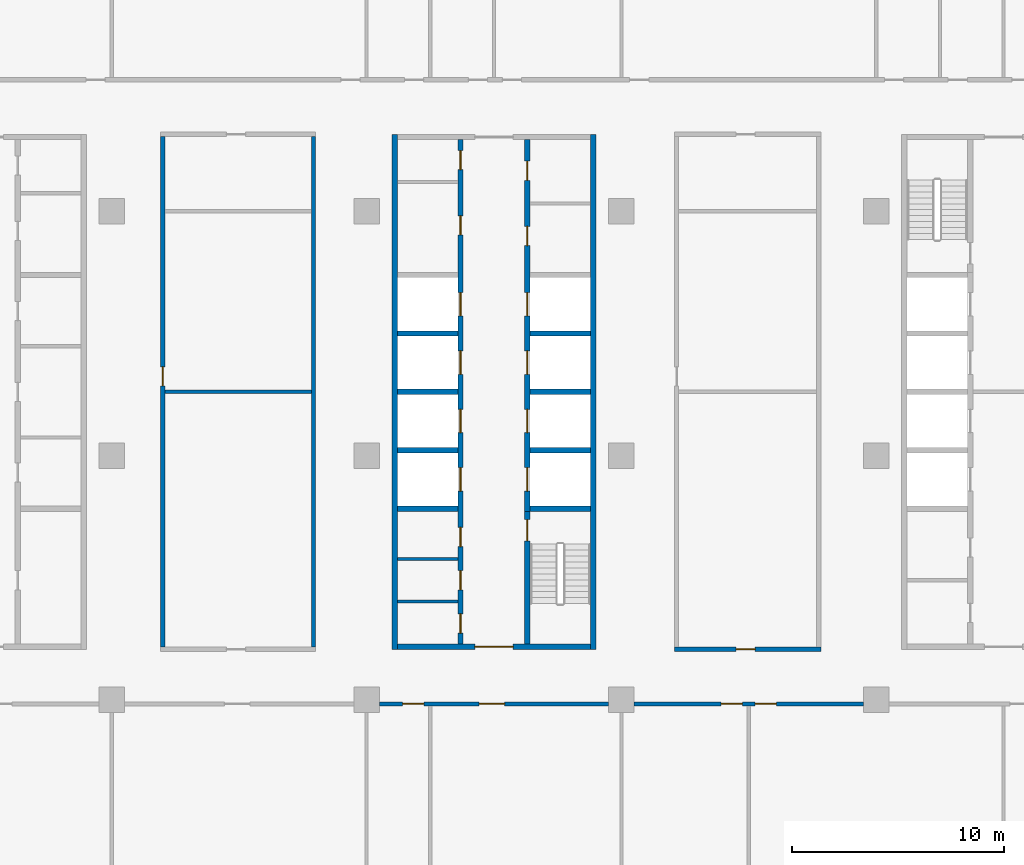
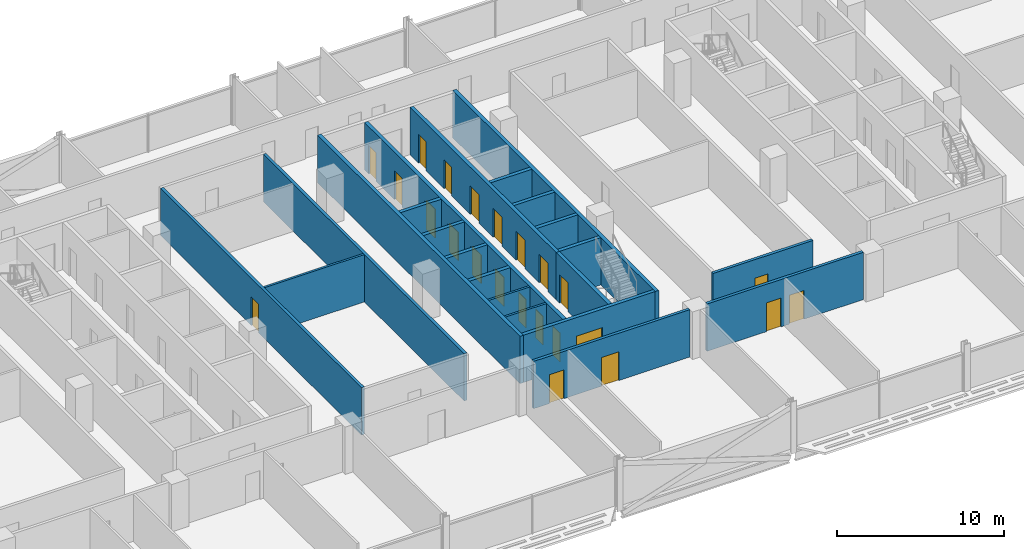
# One storey, part 12 of 27: 23 doors, 22 walls, 23 openings.
"""IFC4 building model written with IfcOpenShell, lengths in metres."""

from ifc_helpers import new_model, si_unit, direction, frame, frame_2d, origin, place, context, subcontext, project, spatial, rectangle, extrude, material, layer, layer_set, type_object, element, fill, save


model = new_model("IFC4")

# Units and contexts
model_context = context("Model", 3, precision=1e-05, world=origin(), true_north=direction((0.0, 1.0)))
body_context = subcontext(model_context, "Body", "Model", "MODEL_VIEW")
ifc_project = project(units=[si_unit("LENGTHUNIT", "METRE"), si_unit("AREAUNIT", "SQUARE_METRE"), si_unit("VOLUMEUNIT", "CUBIC_METRE"), si_unit("PLANEANGLEUNIT", "RADIAN"), si_unit("MASSUNIT", "GRAM", prefix="KILO")], contexts=[model_context])

# Site, building, storey
site_placement = place(None, origin())
site = spatial("IfcSite", under=ifc_project, at=site_placement, CompositionType="ELEMENT")
building_placement = place(site_placement, origin())
building = spatial("IfcBuilding", under=site, at=building_placement, Name="Mahtab Terrace Research Tower", CompositionType="ELEMENT")
storey_placement = place(building_placement, frame((0.0, 0.0, 166.800048828125)))
storey = spatial("IfcBuildingStorey", under=building, at=storey_placement, Name="L39", CompositionType="ELEMENT", Elevation=166.800048828125)

# Walls
ifc_material_1 = material(Name="Gypsum board partition")
ifc_layer_1 = layer(ifc_material_1, 0.14990234375)
ifc_layer_set_1 = layer_set([ifc_layer_1], Name="Core partition 150")
wall_type_1 = type_object("IfcWallType", Name="Core partition 150", PredefinedType="PARTITIONING", material=ifc_layer_set_1)
for number, where, z_axis, x_axis, name in (
    (1, (-4.550048828125, -6.875, 0.0), (0.0, 0.0, 1.0), (1.0, 0.0, 0.0), "Core wall B pWS-988"),
    (2, (-4.550048828125, -4.875, 0.0), (0.0, 0.0, 1.0), (1.0, 0.0, 0.0), "Core wall B pWS-788"),
):
    element("IfcWall", number, at=place(storey_placement, frame(where, z_axis=z_axis, x_axis=x_axis)), inside=storey, type_object=wall_type_1, Name=name, PredefinedType="PARTITIONING", context=body_context, shape_type="SweptSolid", body=[
        extrude(rectangle(XDim=2.85009765625, YDim=0.14990234375, at=frame_2d((1.425048828125, 0.0))), origin(), (0.0, 0.0, 1.0), 3.4599609375),
    ])
ifc_material_2 = material(Name="Concrete C70/85", Category="concrete")
ifc_layer_2 = layer(ifc_material_2, 0.25)
ifc_layer_set_2 = layer_set([ifc_layer_2], Name="Core wall 250")
wall_type_2 = type_object("IfcWallType", Name="Core wall 250", PredefinedType="SOLIDWALL", material=ifc_layer_set_2)
for number, where, z_axis, x_axis, name in (
    (3, (-4.675048828125, 15.125, 0.0), (0.0, 0.0, 1.0), (0.0, -1.0, 0.0), "Core wall B outerW"),
    (4, (4.675048828125, -9.125, 0.0), (0.0, 0.0, 1.0), (0.0, 1.0, 0.0), "Core wall B outerE"),
):
    element("IfcWall", number, at=place(storey_placement, frame(where, z_axis=z_axis, x_axis=x_axis)), inside=storey, type_object=wall_type_2, Name=name, PredefinedType="SOLIDWALL", context=body_context, shape_type="SweptSolid", body=[
        extrude(rectangle(XDim=24.25, YDim=0.25, at=frame_2d((12.125, 0.0))), origin(), (0.0, 0.0, 1.0), 3.4599609375),
    ])

# Wall, opening, door
wall_1_placement = place(storey_placement, frame((4.550048828125, -9.0, 0.0), z_axis=(0.0, 0.0, 1.0), x_axis=(-1.0, 0.0, 0.0)))
wall_1 = element("IfcWall", 5, at=wall_1_placement, inside=storey, type_object=wall_type_2, Name="Core wall B endS", PredefinedType="SOLIDWALL", context=body_context, shape_type="SweptSolid", body=[
    extrude(rectangle(XDim=9.10009765625, YDim=0.25, at=frame_2d((4.550048828125, 0.0))), origin(), (0.0, 0.0, 1.0), 3.4599609375),
])
opening_1_placement = place(wall_1_placement, frame((3.64990234375, 0.0, 0.0)))
opening_1 = element("IfcOpeningElement", 6, at=opening_1_placement, cuts=wall_1, Name="Opening B-S1", PredefinedType="OPENING", context=body_context, shape_type="SweptSolid", body=[
    extrude(rectangle(XDim=1.800048828125, YDim=2.10009765625, at=frame_2d((0.89990234375, 1.050048828125))), frame((0.0, 0.135009765625, 0.0), z_axis=(0.0, -1.0, 0.0), x_axis=(1.0, 0.0, 0.0)), (0.0, 0.0, 1.0), 0.27001953125),
])
ifc_material_3 = material(Name="Steel fire door", Category="steel")
door_type_1 = type_object("IfcDoorType", Name="Lobby double door 1800x2100 1 HR", OperationType="DOUBLE_DOOR_SINGLE_SWING", PredefinedType="DOOR", material=ifc_material_3)
door_1_placement = place(opening_1_placement, origin())
door_1 = element("IfcDoor", 7, at=door_1_placement, inside=storey, type_object=door_type_1, Name="Core entrance door B S", OperationType="DOUBLE_DOOR_SINGLE_SWING", OverallHeight=2.10009765625, OverallWidth=1.800048828125, PredefinedType="DOOR", context=body_context, shape_type="SweptSolid", body=[
    extrude(rectangle(XDim=1.800048828125, YDim=2.10009765625, at=frame_2d((0.89990234375, 1.050048828125))), frame((0.0, 0.02490234375, 0.0), z_axis=(0.0, -1.0, 0.0), x_axis=(1.0, 0.0, 0.0)), (0.0, 0.0, 1.0), 0.050048828125),
])
fill(opening_1, door_1)

# Wall, openings, doors
wall_2_placement = place(storey_placement, frame((-1.574951171875, -8.875, 0.0), z_axis=(0.0, 0.0, 1.0), x_axis=(0.0, 1.0, 0.0)))
wall_2 = element("IfcWall", 8, at=wall_2_placement, inside=storey, type_object=wall_type_2, Name="Core wall B innerWSLN", PredefinedType="SOLIDWALL", context=body_context, shape_type="SweptSolid", body=[
    extrude(rectangle(XDim=23.75, YDim=0.25, at=frame_2d((11.875, 0.0))), origin(), (0.0, 0.0, 1.0), 3.4599609375),
])
opening_2_placement = place(wall_2_placement, frame((7.199951171875, 0.0, 0.0)))
opening_2 = element("IfcOpeningElement", 9, at=opening_2_placement, cuts=wall_2, Name="Opening LD09-L39", PredefinedType="OPENING", context=body_context, shape_type="SweptSolid", body=[
    extrude(rectangle(XDim=1.10009765625, YDim=2.10009765625, at=frame_2d((0.550048828125, 1.050048828125))), frame((0.0, 0.135009765625, 0.0), z_axis=(0.0, -1.0, 0.0), x_axis=(1.0, 0.0, 0.0)), (0.0, 0.0, 1.0), 0.27001953125),
])
opening_3_placement = place(wall_2_placement, frame((9.949951171875, 0.0, 0.0)))
opening_3 = element("IfcOpeningElement", 10, at=opening_3_placement, cuts=wall_2, Name="Opening LD10-L39", PredefinedType="OPENING", context=body_context, shape_type="SweptSolid", body=[
    extrude(rectangle(XDim=1.10009765625, YDim=2.10009765625, at=frame_2d((0.550048828125, 1.050048828125))), frame((0.0, 0.135009765625, 0.0), z_axis=(0.0, -1.0, 0.0), x_axis=(1.0, 0.0, 0.0)), (0.0, 0.0, 1.0), 0.27001953125),
])
opening_4_placement = place(wall_2_placement, frame((12.699951171875, 0.0, 0.0)))
opening_4 = element("IfcOpeningElement", 11, at=opening_4_placement, cuts=wall_2, Name="Opening LD11-L39", PredefinedType="OPENING", context=body_context, shape_type="SweptSolid", body=[
    extrude(rectangle(XDim=1.10009765625, YDim=2.10009765625, at=frame_2d((0.550048828125, 1.050048828125))), frame((0.0, 0.135009765625, 0.0), z_axis=(0.0, -1.0, 0.0), x_axis=(1.0, 0.0, 0.0)), (0.0, 0.0, 1.0), 0.27001953125),
])
opening_5_placement = place(wall_2_placement, frame((15.449951171875, 0.0, 0.0)))
opening_5 = element("IfcOpeningElement", 12, at=opening_5_placement, cuts=wall_2, Name="Opening LD12-L39", PredefinedType="OPENING", context=body_context, shape_type="SweptSolid", body=[
    extrude(rectangle(XDim=1.10009765625, YDim=2.10009765625, at=frame_2d((0.550048828125, 1.050048828125))), frame((0.0, 0.135009765625, 0.0), z_axis=(0.0, -1.0, 0.0), x_axis=(1.0, 0.0, 0.0)), (0.0, 0.0, 1.0), 0.27001953125),
])
opening_6_placement = place(wall_2_placement, frame((0.512451171875, 0.0, 0.0)))
opening_6 = element("IfcOpeningElement", 13, at=opening_6_placement, cuts=wall_2, Name="Opening B-R1", PredefinedType="OPENING", context=body_context, shape_type="SweptSolid", body=[
    extrude(rectangle(XDim=0.89990234375, YDim=2.10009765625, at=frame_2d((0.449951171875, 1.050048828125))), frame((0.0, 0.135009765625, 0.0), z_axis=(0.0, -1.0, 0.0), x_axis=(1.0, 0.0, 0.0)), (0.0, 0.0, 1.0), 0.27001953125),
])
opening_7_placement = place(wall_2_placement, frame((2.550048828125, 0.0, 0.0)))
opening_7 = element("IfcOpeningElement", 14, at=opening_7_placement, cuts=wall_2, Name="Opening B-R2", PredefinedType="OPENING", context=body_context, shape_type="SweptSolid", body=[
    extrude(rectangle(XDim=0.89990234375, YDim=2.10009765625, at=frame_2d((0.449951171875, 1.050048828125))), frame((0.0, 0.135009765625, 0.0), z_axis=(0.0, -1.0, 0.0), x_axis=(1.0, 0.0, 0.0)), (0.0, 0.0, 1.0), 0.27001953125),
])
opening_8_placement = place(wall_2_placement, frame((4.58740234375, 0.0, 0.0)))
opening_8 = element("IfcOpeningElement", 15, at=opening_8_placement, cuts=wall_2, Name="Opening B-R3", PredefinedType="OPENING", context=body_context, shape_type="SweptSolid", body=[
    extrude(rectangle(XDim=0.89990234375, YDim=2.10009765625, at=frame_2d((0.449951171875, 1.050048828125))), frame((0.0, 0.135009765625, 0.0), z_axis=(0.0, -1.0, 0.0), x_axis=(1.0, 0.0, 0.0)), (0.0, 0.0, 1.0), 0.27001953125),
])
opening_9_placement = place(wall_2_placement, frame((19.262451171875, 0.0, 0.0)))
opening_9 = element("IfcOpeningElement", 16, at=opening_9_placement, cuts=wall_2, Name="Opening B-R4", PredefinedType="OPENING", context=body_context, shape_type="SweptSolid", body=[
    extrude(rectangle(XDim=0.89990234375, YDim=2.10009765625, at=frame_2d((0.449951171875, 1.050048828125))), frame((0.0, 0.135009765625, 0.0), z_axis=(0.0, -1.0, 0.0), x_axis=(1.0, 0.0, 0.0)), (0.0, 0.0, 1.0), 0.27001953125),
])
opening_10_placement = place(wall_2_placement, frame((22.33740234375, 0.0, 0.0)))
opening_10 = element("IfcOpeningElement", 17, at=opening_10_placement, cuts=wall_2, Name="Opening B-R5", PredefinedType="OPENING", context=body_context, shape_type="SweptSolid", body=[
    extrude(rectangle(XDim=0.89990234375, YDim=2.10009765625, at=frame_2d((0.449951171875, 1.050048828125))), frame((0.0, 0.135009765625, 0.0), z_axis=(0.0, -1.0, 0.0), x_axis=(1.0, 0.0, 0.0)), (0.0, 0.0, 1.0), 0.27001953125),
])
ifc_material_4 = material(Name="Stainless steel AISI 304", Category="steel")
door_type_2 = type_object("IfcDoorType", Name="Landing door 1100x2100", OperationType="DOUBLE_DOOR_SLIDING", PredefinedType="DOOR", material=ifc_material_4)
door_2_placement = place(opening_2_placement, origin())
door_2 = element("IfcDoor", 18, at=door_2_placement, inside=storey, type_object=door_type_2, Name="Landing door HR1 L39", OperationType="DOUBLE_DOOR_SLIDING", OverallHeight=2.10009765625, OverallWidth=1.10009765625, PredefinedType="DOOR", context=body_context, shape_type="SweptSolid", body=[
    extrude(rectangle(XDim=1.10009765625, YDim=2.10009765625, at=frame_2d((0.550048828125, 1.050048828125))), frame((0.0, 0.02490234375, 0.0), z_axis=(0.0, -1.0, 0.0), x_axis=(1.0, 0.0, 0.0)), (0.0, 0.0, 1.0), 0.050048828125),
])
fill(opening_2, door_2)
door_3_placement = place(opening_3_placement, origin())
door_3 = element("IfcDoor", 19, at=door_3_placement, inside=storey, type_object=door_type_2, Name="Landing door HR2 L39", OperationType="DOUBLE_DOOR_SLIDING", OverallHeight=2.10009765625, OverallWidth=1.10009765625, PredefinedType="DOOR", context=body_context, shape_type="SweptSolid", body=[
    extrude(rectangle(XDim=1.10009765625, YDim=2.10009765625, at=frame_2d((0.550048828125, 1.050048828125))), frame((0.0, 0.02490234375, 0.0), z_axis=(0.0, -1.0, 0.0), x_axis=(1.0, 0.0, 0.0)), (0.0, 0.0, 1.0), 0.050048828125),
])
fill(opening_3, door_3)
door_4_placement = place(opening_4_placement, origin())
door_4 = element("IfcDoor", 20, at=door_4_placement, inside=storey, type_object=door_type_2, Name="Landing door HR3 L39", OperationType="DOUBLE_DOOR_SLIDING", OverallHeight=2.10009765625, OverallWidth=1.10009765625, PredefinedType="DOOR", context=body_context, shape_type="SweptSolid", body=[
    extrude(rectangle(XDim=1.10009765625, YDim=2.10009765625, at=frame_2d((0.550048828125, 1.050048828125))), frame((0.0, 0.02490234375, 0.0), z_axis=(0.0, -1.0, 0.0), x_axis=(1.0, 0.0, 0.0)), (0.0, 0.0, 1.0), 0.050048828125),
])
fill(opening_4, door_4)
door_5_placement = place(opening_5_placement, origin())
door_5 = element("IfcDoor", 21, at=door_5_placement, inside=storey, type_object=door_type_2, Name="Landing door HR4 L39", OperationType="DOUBLE_DOOR_SLIDING", OverallHeight=2.10009765625, OverallWidth=1.10009765625, PredefinedType="DOOR", context=body_context, shape_type="SweptSolid", body=[
    extrude(rectangle(XDim=1.10009765625, YDim=2.10009765625, at=frame_2d((0.550048828125, 1.050048828125))), frame((0.0, 0.02490234375, 0.0), z_axis=(0.0, -1.0, 0.0), x_axis=(1.0, 0.0, 0.0)), (0.0, 0.0, 1.0), 0.050048828125),
])
fill(opening_5, door_5)
door_type_3 = type_object("IfcDoorType", Name="Room door 900x2100 1 HR", OperationType="NOTDEFINED", PredefinedType="DOOR", material=ifc_material_3)
door_6_placement = place(opening_6_placement, origin())
door_6 = element("IfcDoor", 22, at=door_6_placement, inside=storey, type_object=door_type_3, Name="Comms riser room door", OperationType="SINGLE_SWING_LEFT", OverallHeight=2.10009765625, OverallWidth=0.89990234375, PredefinedType="DOOR", context=body_context, shape_type="SweptSolid", body=[
    extrude(rectangle(XDim=0.89990234375, YDim=2.10009765625, at=frame_2d((0.449951171875, 1.050048828125))), frame((0.0, 0.02490234375, 0.0), z_axis=(0.0, -1.0, 0.0), x_axis=(1.0, 0.0, 0.0)), (0.0, 0.0, 1.0), 0.050048828125),
])
fill(opening_6, door_6)
door_7_placement = place(opening_7_placement, origin())
door_7 = element("IfcDoor", 23, at=door_7_placement, inside=storey, type_object=door_type_3, Name="Pantry door", OperationType="SINGLE_SWING_RIGHT", OverallHeight=2.10009765625, OverallWidth=0.89990234375, PredefinedType="DOOR", context=body_context, shape_type="SweptSolid", body=[
    extrude(rectangle(XDim=0.89990234375, YDim=2.10009765625, at=frame_2d((0.449951171875, 1.050048828125))), frame((0.0, 0.02490234375, 0.0), z_axis=(0.0, -1.0, 0.0), x_axis=(1.0, 0.0, 0.0)), (0.0, 0.0, 1.0), 0.050048828125),
])
fill(opening_7, door_7)
door_8_placement = place(opening_8_placement, origin())
door_8 = element("IfcDoor", 24, at=door_8_placement, inside=storey, type_object=door_type_3, Name="Cleaners store door", OperationType="SINGLE_SWING_LEFT", OverallHeight=2.10009765625, OverallWidth=0.89990234375, PredefinedType="DOOR", context=body_context, shape_type="SweptSolid", body=[
    extrude(rectangle(XDim=0.89990234375, YDim=2.10009765625, at=frame_2d((0.449951171875, 1.050048828125))), frame((0.0, 0.02490234375, 0.0), z_axis=(0.0, -1.0, 0.0), x_axis=(1.0, 0.0, 0.0)), (0.0, 0.0, 1.0), 0.050048828125),
])
fill(opening_8, door_8)
door_9_placement = place(opening_9_placement, origin())
door_9 = element("IfcDoor", 25, at=door_9_placement, inside=storey, type_object=door_type_3, Name="IT equipment room door", OperationType="SINGLE_SWING_RIGHT", OverallHeight=2.10009765625, OverallWidth=0.89990234375, PredefinedType="DOOR", context=body_context, shape_type="SweptSolid", body=[
    extrude(rectangle(XDim=0.89990234375, YDim=2.10009765625, at=frame_2d((0.449951171875, 1.050048828125))), frame((0.0, 0.02490234375, 0.0), z_axis=(0.0, -1.0, 0.0), x_axis=(1.0, 0.0, 0.0)), (0.0, 0.0, 1.0), 0.050048828125),
])
fill(opening_9, door_9)
door_10_placement = place(opening_10_placement, origin())
door_10 = element("IfcDoor", 26, at=door_10_placement, inside=storey, type_object=door_type_3, Name="Electrical riser room door", OperationType="SINGLE_SWING_LEFT", OverallHeight=2.10009765625, OverallWidth=0.89990234375, PredefinedType="DOOR", context=body_context, shape_type="SweptSolid", body=[
    extrude(rectangle(XDim=0.89990234375, YDim=2.10009765625, at=frame_2d((0.449951171875, 1.050048828125))), frame((0.0, 0.02490234375, 0.0), z_axis=(0.0, -1.0, 0.0), x_axis=(1.0, 0.0, 0.0)), (0.0, 0.0, 1.0), 0.050048828125),
])
fill(opening_10, door_10)

# Wall, opening, door
wall_3_placement = place(storey_placement, frame((1.574951171875, -8.875, 0.0), z_axis=(0.0, 0.0, 1.0), x_axis=(0.0, 1.0, 0.0)))
wall_3 = element("IfcWall", 27, at=wall_3_placement, inside=storey, type_object=wall_type_2, Name="Core wall B innerES", PredefinedType="SOLIDWALL", context=body_context, shape_type="SweptSolid", body=[
    extrude(rectangle(XDim=6.25, YDim=0.25, at=frame_2d((3.125, 0.0))), origin(), (0.0, 0.0, 1.0), 3.4599609375),
])
opening_11_placement = place(wall_3_placement, frame((4.85009765625, 0.0, 0.0)))
opening_11 = element("IfcOpeningElement", 28, at=opening_11_placement, cuts=wall_3, Name="Opening B-ST2", PredefinedType="OPENING", context=body_context, shape_type="SweptSolid", body=[
    extrude(rectangle(XDim=1.0, YDim=2.10009765625, at=frame_2d((0.5, 1.050048828125))), frame((0.0, 0.135009765625, 0.0), z_axis=(0.0, -1.0, 0.0), x_axis=(1.0, 0.0, 0.0)), (0.0, 0.0, 1.0), 0.27001953125),
])
door_type_4 = type_object("IfcDoorType", Name="Stair door 1000x2100 1.5 HR", OperationType="NOTDEFINED", PredefinedType="DOOR", material=ifc_material_3)
door_11_placement = place(opening_11_placement, origin())
door_11 = element("IfcDoor", 29, at=door_11_placement, inside=storey, type_object=door_type_4, Name="Stair door ST2 L39", OperationType="SINGLE_SWING_RIGHT", OverallHeight=2.10009765625, OverallWidth=1.0, PredefinedType="DOOR", context=body_context, shape_type="SweptSolid", body=[
    extrude(rectangle(XDim=1.0, YDim=2.10009765625, at=frame_2d((0.5, 1.050048828125))), frame((0.0, 0.02490234375, 0.0), z_axis=(0.0, -1.0, 0.0), x_axis=(1.0, 0.0, 0.0)), (0.0, 0.0, 1.0), 0.050048828125),
])
fill(opening_11, door_11)

# Wall, openings, doors
wall_4_placement = place(storey_placement, frame((1.574951171875, 14.875, 0.0), z_axis=(0.0, 0.0, 1.0), x_axis=(0.0, -1.0, 0.0)))
wall_4 = element("IfcWall", 30, at=wall_4_placement, inside=storey, type_object=wall_type_2, Name="Core wall B innerELN", PredefinedType="SOLIDWALL", context=body_context, shape_type="SweptSolid", body=[
    extrude(rectangle(XDim=17.5, YDim=0.25, at=frame_2d((8.75, 0.0))), origin(), (0.0, 0.0, 1.0), 3.4599609375),
])
opening_12_placement = place(wall_4_placement, frame((15.449951171875, 0.0, 0.0)))
opening_12 = element("IfcOpeningElement", 31, at=opening_12_placement, cuts=wall_4, Name="Opening LD13-L39", PredefinedType="OPENING", context=body_context, shape_type="SweptSolid", body=[
    extrude(rectangle(XDim=1.10009765625, YDim=2.10009765625, at=frame_2d((0.550048828125, 1.050048828125))), frame((0.0, 0.135009765625, 0.0), z_axis=(0.0, -1.0, 0.0), x_axis=(1.0, 0.0, 0.0)), (0.0, 0.0, 1.0), 0.27001953125),
])
opening_13_placement = place(wall_4_placement, frame((12.699951171875, 0.0, 0.0)))
opening_13 = element("IfcOpeningElement", 32, at=opening_13_placement, cuts=wall_4, Name="Opening LD14-L39", PredefinedType="OPENING", context=body_context, shape_type="SweptSolid", body=[
    extrude(rectangle(XDim=1.10009765625, YDim=2.10009765625, at=frame_2d((0.550048828125, 1.050048828125))), frame((0.0, 0.135009765625, 0.0), z_axis=(0.0, -1.0, 0.0), x_axis=(1.0, 0.0, 0.0)), (0.0, 0.0, 1.0), 0.27001953125),
])
opening_14_placement = place(wall_4_placement, frame((9.949951171875, 0.0, 0.0)))
opening_14 = element("IfcOpeningElement", 33, at=opening_14_placement, cuts=wall_4, Name="Opening LD15-L39", PredefinedType="OPENING", context=body_context, shape_type="SweptSolid", body=[
    extrude(rectangle(XDim=1.10009765625, YDim=2.10009765625, at=frame_2d((0.550048828125, 1.050048828125))), frame((0.0, 0.135009765625, 0.0), z_axis=(0.0, -1.0, 0.0), x_axis=(1.0, 0.0, 0.0)), (0.0, 0.0, 1.0), 0.27001953125),
])
opening_15_placement = place(wall_4_placement, frame((7.199951171875, 0.0, 0.0)))
opening_15 = element("IfcOpeningElement", 34, at=opening_15_placement, cuts=wall_4, Name="Opening LD16-L39", PredefinedType="OPENING", context=body_context, shape_type="SweptSolid", body=[
    extrude(rectangle(XDim=1.10009765625, YDim=2.10009765625, at=frame_2d((0.550048828125, 1.050048828125))), frame((0.0, 0.135009765625, 0.0), z_axis=(0.0, -1.0, 0.0), x_axis=(1.0, 0.0, 0.0)), (0.0, 0.0, 1.0), 0.27001953125),
])
opening_16_placement = place(wall_4_placement, frame((4.08740234375, 0.0, 0.0)))
opening_16 = element("IfcOpeningElement", 35, at=opening_16_placement, cuts=wall_4, Name="Opening B-R6", PredefinedType="OPENING", context=body_context, shape_type="SweptSolid", body=[
    extrude(rectangle(XDim=0.89990234375, YDim=2.10009765625, at=frame_2d((0.449951171875, 1.050048828125))), frame((0.0, 0.135009765625, 0.0), z_axis=(0.0, -1.0, 0.0), x_axis=(1.0, 0.0, 0.0)), (0.0, 0.0, 1.0), 0.27001953125),
])
opening_17_placement = place(wall_4_placement, frame((1.012451171875, 0.0, 0.0)))
opening_17 = element("IfcOpeningElement", 36, at=opening_17_placement, cuts=wall_4, Name="Opening B-R7", PredefinedType="OPENING", context=body_context, shape_type="SweptSolid", body=[
    extrude(rectangle(XDim=0.89990234375, YDim=2.10009765625, at=frame_2d((0.449951171875, 1.050048828125))), frame((0.0, 0.135009765625, 0.0), z_axis=(0.0, -1.0, 0.0), x_axis=(1.0, 0.0, 0.0)), (0.0, 0.0, 1.0), 0.27001953125),
])
door_12_placement = place(opening_12_placement, origin())
door_12 = element("IfcDoor", 37, at=door_12_placement, inside=storey, type_object=door_type_2, Name="Landing door HR5 L39", OperationType="DOUBLE_DOOR_SLIDING", OverallHeight=2.10009765625, OverallWidth=1.10009765625, PredefinedType="DOOR", context=body_context, shape_type="SweptSolid", body=[
    extrude(rectangle(XDim=1.10009765625, YDim=2.10009765625, at=frame_2d((0.550048828125, 1.050048828125))), frame((0.0, 0.02490234375, 0.0), z_axis=(0.0, -1.0, 0.0), x_axis=(1.0, 0.0, 0.0)), (0.0, 0.0, 1.0), 0.050048828125),
])
fill(opening_12, door_12)
door_13_placement = place(opening_13_placement, origin())
door_13 = element("IfcDoor", 38, at=door_13_placement, inside=storey, type_object=door_type_2, Name="Landing door HR6 L39", OperationType="DOUBLE_DOOR_SLIDING", OverallHeight=2.10009765625, OverallWidth=1.10009765625, PredefinedType="DOOR", context=body_context, shape_type="SweptSolid", body=[
    extrude(rectangle(XDim=1.10009765625, YDim=2.10009765625, at=frame_2d((0.550048828125, 1.050048828125))), frame((0.0, 0.02490234375, 0.0), z_axis=(0.0, -1.0, 0.0), x_axis=(1.0, 0.0, 0.0)), (0.0, 0.0, 1.0), 0.050048828125),
])
fill(opening_13, door_13)
door_14_placement = place(opening_14_placement, origin())
door_14 = element("IfcDoor", 39, at=door_14_placement, inside=storey, type_object=door_type_2, Name="Landing door HR7 L39", OperationType="DOUBLE_DOOR_SLIDING", OverallHeight=2.10009765625, OverallWidth=1.10009765625, PredefinedType="DOOR", context=body_context, shape_type="SweptSolid", body=[
    extrude(rectangle(XDim=1.10009765625, YDim=2.10009765625, at=frame_2d((0.550048828125, 1.050048828125))), frame((0.0, 0.02490234375, 0.0), z_axis=(0.0, -1.0, 0.0), x_axis=(1.0, 0.0, 0.0)), (0.0, 0.0, 1.0), 0.050048828125),
])
fill(opening_14, door_14)
door_15_placement = place(opening_15_placement, origin())
door_15 = element("IfcDoor", 40, at=door_15_placement, inside=storey, type_object=door_type_2, Name="Landing door HR8 L39", OperationType="DOUBLE_DOOR_SLIDING", OverallHeight=2.10009765625, OverallWidth=1.10009765625, PredefinedType="DOOR", context=body_context, shape_type="SweptSolid", body=[
    extrude(rectangle(XDim=1.10009765625, YDim=2.10009765625, at=frame_2d((0.550048828125, 1.050048828125))), frame((0.0, 0.02490234375, 0.0), z_axis=(0.0, -1.0, 0.0), x_axis=(1.0, 0.0, 0.0)), (0.0, 0.0, 1.0), 0.050048828125),
])
fill(opening_15, door_15)
door_16_placement = place(opening_16_placement, origin())
door_16 = element("IfcDoor", 41, at=door_16_placement, inside=storey, type_object=door_type_3, Name="Staff WC door", OperationType="SINGLE_SWING_RIGHT", OverallHeight=2.10009765625, OverallWidth=0.89990234375, PredefinedType="DOOR", context=body_context, shape_type="SweptSolid", body=[
    extrude(rectangle(XDim=0.89990234375, YDim=2.10009765625, at=frame_2d((0.449951171875, 1.050048828125))), frame((0.0, 0.02490234375, 0.0), z_axis=(0.0, -1.0, 0.0), x_axis=(1.0, 0.0, 0.0)), (0.0, 0.0, 1.0), 0.050048828125),
])
fill(opening_16, door_16)
door_17_placement = place(opening_17_placement, origin())
door_17 = element("IfcDoor", 42, at=door_17_placement, inside=storey, type_object=door_type_3, Name="Accessible WC door", OperationType="SINGLE_SWING_LEFT", OverallHeight=2.10009765625, OverallWidth=0.89990234375, PredefinedType="DOOR", context=body_context, shape_type="SweptSolid", body=[
    extrude(rectangle(XDim=0.89990234375, YDim=2.10009765625, at=frame_2d((0.449951171875, 1.050048828125))), frame((0.0, 0.02490234375, 0.0), z_axis=(0.0, -1.0, 0.0), x_axis=(1.0, 0.0, 0.0)), (0.0, 0.0, 1.0), 0.050048828125),
])
fill(opening_17, door_17)

# Walls
for number, where, z_axis, x_axis, name in (
    (43, (-4.550048828125, -2.5, 0.0), (0.0, 0.0, 1.0), (1.0, 0.0, 0.0), "Core wall B divW0"),
    (44, (-4.550048828125, 0.25, 0.0), (0.0, 0.0, 1.0), (1.0, 0.0, 0.0), "Core wall B divW1"),
    (45, (-4.550048828125, 3.0, 0.0), (0.0, 0.0, 1.0), (1.0, 0.0, 0.0), "Core wall B divW2"),
    (46, (-4.550048828125, 5.75, 0.0), (0.0, 0.0, 1.0), (1.0, 0.0, 0.0), "Core wall B divW3"),
    (47, (1.699951171875, -2.5, 0.0), (0.0, 0.0, 1.0), (1.0, 0.0, 0.0), "Core wall B divE0"),
    (48, (1.699951171875, 0.25, 0.0), (0.0, 0.0, 1.0), (1.0, 0.0, 0.0), "Core wall B divE1"),
    (49, (1.699951171875, 3.0, 0.0), (0.0, 0.0, 1.0), (1.0, 0.0, 0.0), "Core wall B divE2"),
    (50, (1.699951171875, 5.75, 0.0), (0.0, 0.0, 1.0), (1.0, 0.0, 0.0), "Core wall B divE3"),
):
    element("IfcWall", number, at=place(storey_placement, frame(where, z_axis=z_axis, x_axis=x_axis)), inside=storey, type_object=wall_type_2, Name=name, PredefinedType="SOLIDWALL", context=body_context, shape_type="SweptSolid", body=[
        extrude(rectangle(XDim=2.85009765625, YDim=0.25, at=frame_2d((1.425048828125, 0.0))), origin(), (0.0, 0.0, 1.0), 3.4599609375),
    ])

# Wall, openings, doors
ifc_material_5 = material(Name="Gypsum board corridor wall on steel studs", Category="steel")
ifc_layer_3 = layer(ifc_material_5, 0.199951171875)
ifc_layer_set_3 = layer_set([ifc_layer_3], Name="WALL CORRIDOR 200")
wall_type_3 = type_object("IfcWallType", Name="WALL CORRIDOR 200", PredefinedType="PARTITIONING", material=ifc_layer_set_3)
wall_5_placement = place(storey_placement, frame((-5.39990234375, -11.699951171875, 0.0), z_axis=(0.0, 0.0, 1.0), x_axis=(1.0, 0.0, 0.0)))
wall_5 = element("IfcWall", 51, at=wall_5_placement, inside=storey, type_object=wall_type_3, Name="L39-W005", PredefinedType="PARTITIONING", context=body_context, shape_type="SweptSolid", body=[
    extrude(rectangle(XDim=10.7998046875, YDim=0.199951171875, at=frame_2d((5.39990234375, 0.0))), origin(), (0.0, 0.0, 1.0), 3.4599609375),
])
opening_18_placement = place(wall_5_placement, frame((1.10009765625, 0.0, 0.0)))
opening_18 = element("IfcOpeningElement", 52, at=opening_18_placement, cuts=wall_5, Name="Opening L39-106", PredefinedType="OPENING", context=body_context, shape_type="SweptSolid", body=[
    extrude(rectangle(XDim=1.0, YDim=2.10009765625, at=frame_2d((0.5, 1.050048828125))), frame((0.0, 0.10986328125, 0.0), z_axis=(0.0, -1.0, 0.0), x_axis=(1.0, 0.0, 0.0)), (0.0, 0.0, 1.0), 0.219970703125),
])
opening_19_placement = place(wall_5_placement, frame((4.699951171875, 0.0, 0.0)))
opening_19 = element("IfcOpeningElement", 53, at=opening_19_placement, cuts=wall_5, Name="Opening L39-107", PredefinedType="OPENING", context=body_context, shape_type="SweptSolid", body=[
    extrude(rectangle(XDim=1.199951171875, YDim=2.10009765625, at=frame_2d((0.60009765625, 1.050048828125))), frame((0.0, 0.10986328125, 0.0), z_axis=(0.0, -1.0, 0.0), x_axis=(1.0, 0.0, 0.0)), (0.0, 0.0, 1.0), 0.219970703125),
])
ifc_material_6 = material(Name="Timber door leaf in steel frame", Category="steel")
door_type_5 = type_object("IfcDoorType", Name="DOOR 1000X2100 FD30S", OperationType="SINGLE_SWING_LEFT", PredefinedType="DOOR", material=ifc_material_6)
door_18_placement = place(opening_18_placement, origin())
door_18 = element("IfcDoor", 54, at=door_18_placement, inside=storey, type_object=door_type_5, Name="Door L39-106", OperationType="SINGLE_SWING_RIGHT", OverallHeight=2.10009765625, OverallWidth=1.0, PredefinedType="DOOR", context=body_context, shape_type="SweptSolid", body=[
    extrude(rectangle(XDim=1.0, YDim=2.10009765625, at=frame_2d((0.5, 1.050048828125))), frame((0.0, 0.02490234375, 0.0), z_axis=(0.0, -1.0, 0.0), x_axis=(1.0, 0.0, 0.0)), (0.0, 0.0, 1.0), 0.050048828125),
])
fill(opening_18, door_18)
door_type_6 = type_object("IfcDoorType", Name="DOOR 1200X2100 FD30S", OperationType="SINGLE_SWING_LEFT", PredefinedType="DOOR", material=ifc_material_6)
door_19_placement = place(opening_19_placement, origin())
door_19 = element("IfcDoor", 55, at=door_19_placement, inside=storey, type_object=door_type_6, Name="Door L39-107", OperationType="SINGLE_SWING_RIGHT", OverallHeight=2.10009765625, OverallWidth=1.199951171875, PredefinedType="DOOR", context=body_context, shape_type="SweptSolid", body=[
    extrude(rectangle(XDim=1.199951171875, YDim=2.10009765625, at=frame_2d((0.60009765625, 1.050048828125))), frame((0.0, 0.02490234375, 0.0), z_axis=(0.0, -1.0, 0.0), x_axis=(1.0, 0.0, 0.0)), (0.0, 0.0, 1.0), 0.050048828125),
])
fill(opening_19, door_19)

wall_6_placement = place(storey_placement, frame((6.60009765625, -11.699951171875, 0.0), z_axis=(0.0, 0.0, 1.0), x_axis=(1.0, 0.0, 0.0)))
wall_6 = element("IfcWall", 56, at=wall_6_placement, inside=storey, type_object=wall_type_3, Name="L39-W006", PredefinedType="PARTITIONING", context=body_context, shape_type="SweptSolid", body=[
    extrude(rectangle(XDim=10.7998046875, YDim=0.199951171875, at=frame_2d((5.39990234375, 0.0))), origin(), (0.0, 0.0, 1.0), 3.4599609375),
])
opening_20_placement = place(wall_6_placement, frame((4.10009765625, 0.0, 0.0)))
opening_20 = element("IfcOpeningElement", 57, at=opening_20_placement, cuts=wall_6, Name="Opening L39-108", PredefinedType="OPENING", context=body_context, shape_type="SweptSolid", body=[
    extrude(rectangle(XDim=1.0, YDim=2.10009765625, at=frame_2d((0.5, 1.050048828125))), frame((0.0, 0.10986328125, 0.0), z_axis=(0.0, -1.0, 0.0), x_axis=(1.0, 0.0, 0.0)), (0.0, 0.0, 1.0), 0.219970703125),
])
opening_21_placement = place(wall_6_placement, frame((5.699951171875, 0.0, 0.0)))
opening_21 = element("IfcOpeningElement", 58, at=opening_21_placement, cuts=wall_6, Name="Opening L39-109", PredefinedType="OPENING", context=body_context, shape_type="SweptSolid", body=[
    extrude(rectangle(XDim=1.0, YDim=2.10009765625, at=frame_2d((0.5, 1.050048828125))), frame((0.0, 0.10986328125, 0.0), z_axis=(0.0, -1.0, 0.0), x_axis=(1.0, 0.0, 0.0)), (0.0, 0.0, 1.0), 0.219970703125),
])
door_20_placement = place(opening_20_placement, origin())
door_20 = element("IfcDoor", 59, at=door_20_placement, inside=storey, type_object=door_type_5, Name="Door L39-108", OperationType="SINGLE_SWING_RIGHT", OverallHeight=2.10009765625, OverallWidth=1.0, PredefinedType="DOOR", context=body_context, shape_type="SweptSolid", body=[
    extrude(rectangle(XDim=1.0, YDim=2.10009765625, at=frame_2d((0.5, 1.050048828125))), frame((0.0, 0.02490234375, 0.0), z_axis=(0.0, -1.0, 0.0), x_axis=(1.0, 0.0, 0.0)), (0.0, 0.0, 1.0), 0.050048828125),
])
fill(opening_20, door_20)
door_21_placement = place(opening_21_placement, origin())
door_21 = element("IfcDoor", 60, at=door_21_placement, inside=storey, type_object=door_type_5, Name="Door L39-109", OperationType="SINGLE_SWING_LEFT", OverallHeight=2.10009765625, OverallWidth=1.0, PredefinedType="DOOR", context=body_context, shape_type="SweptSolid", body=[
    extrude(rectangle(XDim=1.0, YDim=2.10009765625, at=frame_2d((0.5, 1.050048828125))), frame((0.0, 0.02490234375, 0.0), z_axis=(0.0, -1.0, 0.0), x_axis=(1.0, 0.0, 0.0)), (0.0, 0.0, 1.0), 0.050048828125),
])
fill(opening_21, door_21)

# Wall, opening, door
wall_7_placement = place(storey_placement, frame((8.5, -9.125, 0.0), z_axis=(0.0, 0.0, 1.0), x_axis=(1.0, 0.0, 0.0)))
wall_7 = element("IfcWall", 61, at=wall_7_placement, inside=storey, type_object=wall_type_3, Name="L39-W012", PredefinedType="PARTITIONING", context=body_context, shape_type="SweptSolid", body=[
    extrude(rectangle(XDim=6.89990234375, YDim=0.199951171875, at=frame_2d((3.449951171875, 0.0))), origin(), (0.0, 0.0, 1.0), 3.4599609375),
])
opening_22_placement = place(wall_7_placement, frame((2.89990234375, 0.0, 0.0)))
opening_22 = element("IfcOpeningElement", 62, at=opening_22_placement, cuts=wall_7, Name="Opening L39-116", PredefinedType="OPENING", context=body_context, shape_type="SweptSolid", body=[
    extrude(rectangle(XDim=0.89990234375, YDim=2.10009765625, at=frame_2d((0.449951171875, 1.050048828125))), frame((0.0, 0.10986328125, 0.0), z_axis=(0.0, -1.0, 0.0), x_axis=(1.0, 0.0, 0.0)), (0.0, 0.0, 1.0), 0.219970703125),
])
door_type_7 = type_object("IfcDoorType", Name="DOOR 0900X2100 FD30S", OperationType="SINGLE_SWING_LEFT", PredefinedType="DOOR", material=ifc_material_6)
door_22_placement = place(opening_22_placement, origin())
door_22 = element("IfcDoor", 63, at=door_22_placement, inside=storey, type_object=door_type_7, Name="Door L39-116", OperationType="SINGLE_SWING_LEFT", OverallHeight=2.10009765625, OverallWidth=0.89990234375, PredefinedType="DOOR", context=body_context, shape_type="SweptSolid", body=[
    extrude(rectangle(XDim=0.89990234375, YDim=2.10009765625, at=frame_2d((0.449951171875, 1.050048828125))), frame((0.0, 0.02490234375, 0.0), z_axis=(0.0, -1.0, 0.0), x_axis=(1.0, 0.0, 0.0)), (0.0, 0.0, 1.0), 0.050048828125),
])
fill(opening_22, door_22)

wall_8_placement = place(storey_placement, frame((-15.60009765625, -9.02490234375, 0.0), z_axis=(0.0, 0.0, 1.0), x_axis=(0.0, 1.0, 0.0)))
wall_8 = element("IfcWall", 64, at=wall_8_placement, inside=storey, type_object=wall_type_3, Name="L39-W039", PredefinedType="PARTITIONING", context=body_context, shape_type="SweptSolid", body=[
    extrude(rectangle(XDim=24.0498046875, YDim=0.199951171875, at=frame_2d((12.02490234375, 0.0))), origin(), (0.0, 0.0, 1.0), 3.4599609375),
])
opening_23_placement = place(wall_8_placement, frame((12.300048828125, 0.0, 0.0)))
opening_23 = element("IfcOpeningElement", 65, at=opening_23_placement, cuts=wall_8, Name="Opening L39-119", PredefinedType="OPENING", context=body_context, shape_type="SweptSolid", body=[
    extrude(rectangle(XDim=0.89990234375, YDim=2.10009765625, at=frame_2d((0.449951171875, 1.050048828125))), frame((0.0, 0.10986328125, 0.0), z_axis=(0.0, -1.0, 0.0), x_axis=(1.0, 0.0, 0.0)), (0.0, 0.0, 1.0), 0.219970703125),
])
door_23_placement = place(opening_23_placement, origin())
door_23 = element("IfcDoor", 66, at=door_23_placement, inside=storey, type_object=door_type_7, Name="Door L39-119", OperationType="SINGLE_SWING_LEFT", OverallHeight=2.10009765625, OverallWidth=0.89990234375, PredefinedType="DOOR", context=body_context, shape_type="SweptSolid", body=[
    extrude(rectangle(XDim=0.89990234375, YDim=2.10009765625, at=frame_2d((0.449951171875, 1.050048828125))), frame((0.0, 0.02490234375, 0.0), z_axis=(0.0, -1.0, 0.0), x_axis=(1.0, 0.0, 0.0)), (0.0, 0.0, 1.0), 0.050048828125),
])
fill(opening_23, door_23)

# Walls
wall_9_placement = place(storey_placement, frame((-8.5, -9.02490234375, 0.0), z_axis=(0.0, 0.0, 1.0), x_axis=(0.0, 1.0, 0.0)))
element("IfcWall", 67, at=wall_9_placement, inside=storey, type_object=wall_type_3, Name="L39-W040", PredefinedType="PARTITIONING", context=body_context, shape_type="SweptSolid", body=[
    extrude(rectangle(XDim=24.0498046875, YDim=0.199951171875, at=frame_2d((12.02490234375, 0.0))), origin(), (0.0, 0.0, 1.0), 3.4599609375),
])
ifc_material_7 = material(Name="Gypsum board partition on steel studs", Category="steel")
ifc_layer_4 = layer(ifc_material_7, 0.14990234375)
ifc_layer_set_4 = layer_set([ifc_layer_4], Name="WALL PARTITION 150")
wall_type_4 = type_object("IfcWallType", Name="WALL PARTITION 150", PredefinedType="PARTITIONING", material=ifc_layer_set_4)
wall_10_placement = place(storey_placement, frame((-15.5, 3.0, 0.0), z_axis=(0.0, 0.0, 1.0), x_axis=(1.0, 0.0, 0.0)))
element("IfcWall", 68, at=wall_10_placement, inside=storey, type_object=wall_type_4, Name="L39-W015", PredefinedType="PARTITIONING", context=body_context, shape_type="SweptSolid", body=[
    extrude(rectangle(XDim=6.89990234375, YDim=0.14990234375, at=frame_2d((3.449951171875, 0.0))), origin(), (0.0, 0.0, 1.0), 3.4599609375),
])

save(model, "model.ifc")
